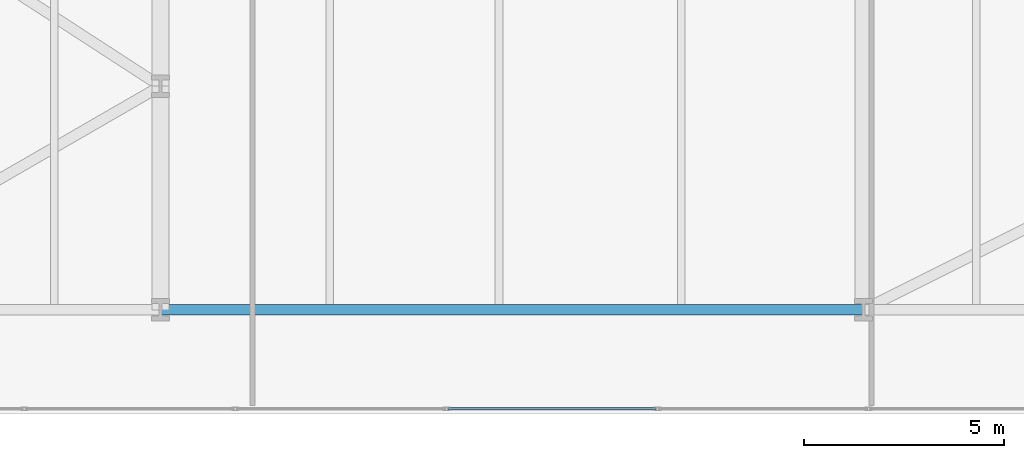
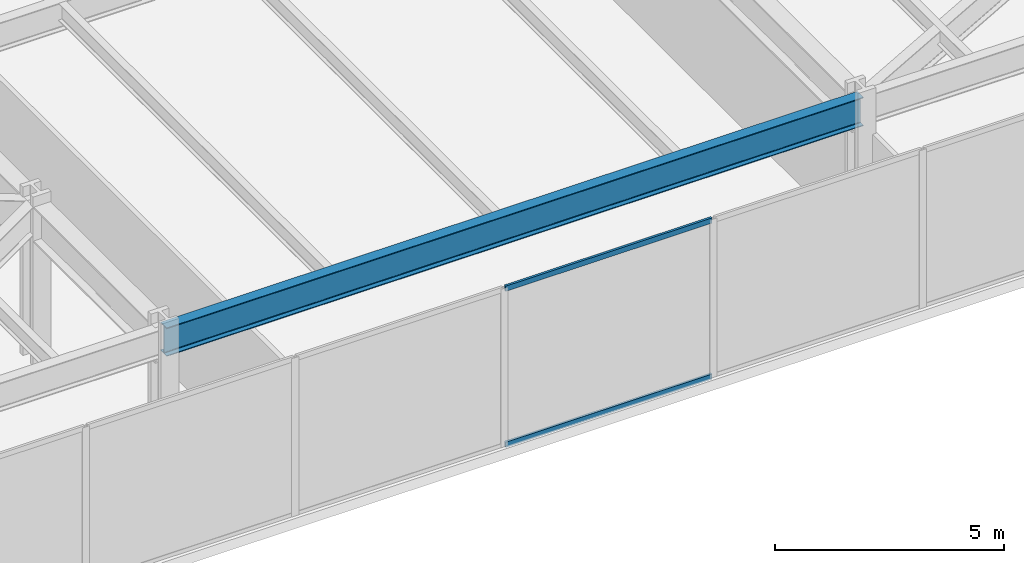
# One storey, part 13 of 28: 2 members, 1 beam, 1 element without a shape of its own.
"""IFC4 building model written with IfcOpenShell, lengths in metres."""

from ifc_helpers import new_model, si_unit, direction, frame, origin, origin_2d, place, context, subcontext, project, spatial, hollow_rectangle, i_section, extrude, material, layer, layer_set, material_profile, profile_set, type_object, element, aggregate, save


model = new_model("IFC4")

# Units and contexts
model_context = context("Model", 3, precision=1e-05, world=origin(), true_north=direction((0.0, 1.0)))
body_context = subcontext(model_context, "Body", "Model", "MODEL_VIEW")
ifc_project = project(units=[si_unit("LENGTHUNIT", "METRE"), si_unit("AREAUNIT", "SQUARE_METRE"), si_unit("VOLUMEUNIT", "CUBIC_METRE"), si_unit("PLANEANGLEUNIT", "RADIAN"), si_unit("MASSUNIT", "GRAM", prefix="KILO")], contexts=[model_context])

# Site, building, storey
site_placement = place(None, origin())
site = spatial("IfcSite", under=ifc_project, at=site_placement, CompositionType="ELEMENT")
building_placement = place(site_placement, origin())
building = spatial("IfcBuilding", under=site, at=building_placement, Name="Kravanh Interchange Tower", CompositionType="ELEMENT")
storey_placement = place(building_placement, frame((0.0, 0.0, 10.800048828125)))
storey = spatial("IfcBuildingStorey", under=building, at=storey_placement, Name="L02", CompositionType="ELEMENT", Elevation=10.800048828125)

# Curtain wall, members
ifc_material_1 = material(Name="Anodised Bronze Aluminium", Category="aluminium")
ifc_layer = layer(ifc_material_1, 0.179931640625)
ifc_layer_set = layer_set([ifc_layer], Name="Unitised Curtain Wall System CW-POD Podium Concourse")
curtain_wall_type = type_object("IfcCurtainWallType", Name="Unitised Curtain Wall System CW-POD Podium Concourse", PredefinedType="NOTDEFINED", material=ifc_layer_set)
curtain_wall_placement = place(storey_placement, origin())
curtain_wall = element("IfcCurtainWall", 1, at=curtain_wall_placement, inside=storey, type_object=curtain_wall_type, Name="L02 Unitised Curtain Wall CW-L02-04", PredefinedType="NOTDEFINED")
ifc_material_2 = material(Name="Anodised Bronze Aluminium", Category="aluminium")
ifc_material_profile_1 = material_profile(ifc_material_2, hollow_rectangle(XDim=0.06005859375, YDim=0.139892578125, WallThickness=0.00390625, at=origin_2d()), Name="ALU60X140X4")
ifc_profile_set_1 = profile_set([ifc_material_profile_1], Name="Anodised Bronze Aluminium")
member_type = type_object("IfcMemberType", Name="Curtain Wall Transom ALU60X140X4 Bronze", PredefinedType="USERDEFINED", material=ifc_profile_set_1)
member_1_placement = place(storey_placement, frame((39.607421875, 0.1201171875, 0.030029296875), z_axis=(-1.0, 0.0, 0.0), x_axis=(0.0, -1.0, 0.0)))
member_1 = element("IfcMember", 2, at=member_1_placement, type_object=member_type, Name="CW-POD transom 7.1", ObjectType="TRANSOM", PredefinedType="USERDEFINED", context=body_context, shape_type="SweptSolid", body=[
    extrude(hollow_rectangle(XDim=0.06005859375, YDim=0.139892578125, WallThickness=0.00390625, at=origin_2d()), origin(), (0.0, 0.0, 1.0), 5.21484375),
])
member_2_placement = place(storey_placement, frame((39.607421875, 0.1201171875, 4.199951171875), z_axis=(-1.0, 0.0, 0.0), x_axis=(0.0, -1.0, 0.0)))
member_2 = element("IfcMember", 3, at=member_2_placement, type_object=member_type, Name="CW-POD transom 7.2", ObjectType="TRANSOM", PredefinedType="USERDEFINED", context=body_context, shape_type="SweptSolid", body=[
    extrude(hollow_rectangle(XDim=0.06005859375, YDim=0.139892578125, WallThickness=0.00390625, at=origin_2d()), origin(), (0.0, 0.0, 1.0), 5.21484375),
])
aggregate(curtain_wall, [member_1, member_2])

# Beam
ifc_material_3 = material(Name="Structural Steel S355", Category="steel")
ifc_material_profile_2 = material_profile(ifc_material_3, i_section(OverallWidth=0.26708984375, OverallDepth=0.761962890625, WebThickness=0.014404296875, FlangeThickness=0.021484375, FilletRadius=0.02490234375, at=origin_2d()), Name="W30X116")
ifc_profile_set_2 = profile_set([ifc_material_profile_2], Name="Structural Steel S355")
beam_type = type_object("IfcBeamType", Name="Floor Spandrel W30X116 Structural Steel S355", PredefinedType="SPANDREL", material=ifc_profile_set_2)
beam_placement = place(storey_placement, frame((27.199951171875, 2.60009765625, 3.848876953125), z_axis=(1.0, 0.0, 0.0), x_axis=(0.0, 1.0, 0.0)))
element("IfcBeam", 4, at=beam_placement, inside=storey, type_object=beam_type, Name="L02 Perimeter Spandrel 9", PredefinedType="SPANDREL", context=body_context, shape_type="SweptSolid", body=[
    extrude(i_section(OverallWidth=0.26708984375, OverallDepth=0.761962890625, WebThickness=0.014404296875, FlangeThickness=0.021484375, FilletRadius=0.02490234375, at=origin_2d()), origin(), (0.0, 0.0, 1.0), 17.60009765625),
])

save(model, "model.ifc")
